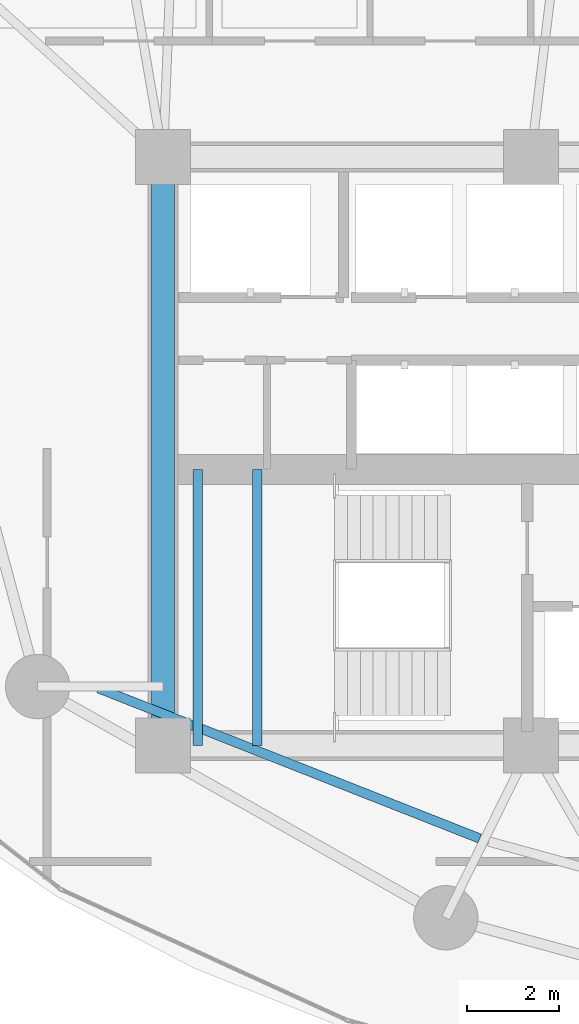
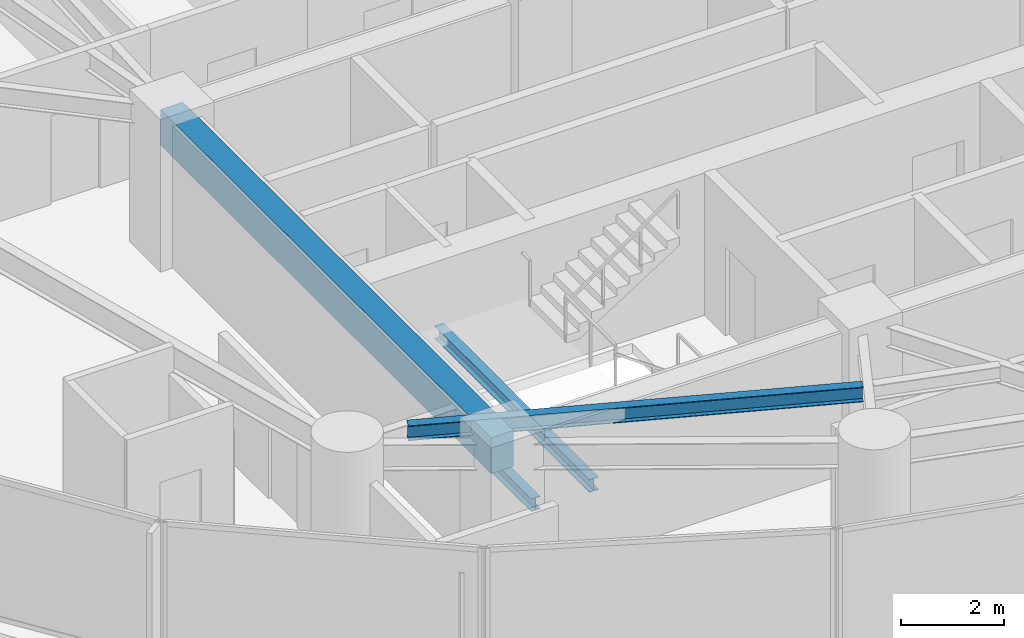
# One storey, part 4 of 31: 4 beams.
"""IFC4 building model written with IfcOpenShell, lengths in metres."""

from ifc_helpers import new_model, si_unit, direction, frame, origin, origin_2d, place, context, subcontext, project, spatial, rectangle, i_section, extrude, material, material_profile, profile_set, type_object, element, save


model = new_model("IFC4")

# Units and contexts
model_context = context("Model", 3, precision=1e-05, world=origin(), true_north=direction((0.0, 1.0)))
body_context = subcontext(model_context, "Body", "Model", "MODEL_VIEW")
ifc_project = project(units=[si_unit("LENGTHUNIT", "METRE"), si_unit("AREAUNIT", "SQUARE_METRE"), si_unit("VOLUMEUNIT", "CUBIC_METRE"), si_unit("PLANEANGLEUNIT", "RADIAN"), si_unit("MASSUNIT", "GRAM", prefix="KILO")], contexts=[model_context])

# Site, building, storey
site_placement = place(None, origin())
site = spatial("IfcSite", under=ifc_project, at=site_placement, CompositionType="ELEMENT")
building_placement = place(site_placement, origin())
building = spatial("IfcBuilding", under=site, at=building_placement, Name="Kazevale Care Tower and Concert Hall", CompositionType="ELEMENT")
storey_placement = place(building_placement, frame((0.0, 0.0, 60.0)))
storey = spatial("IfcBuildingStorey", under=building, at=storey_placement, Name="L15", CompositionType="ELEMENT", Elevation=60.0)

# Beams
ifc_material_1 = material(Name="Concrete C60", Category="concrete")
ifc_material_profile_1 = material_profile(ifc_material_1, rectangle(XDim=0.5, YDim=0.85009765625, at=origin_2d()), Name="RC-B500x850")
ifc_profile_set_1 = profile_set([ifc_material_profile_1], Name="Concrete C60")
beam_type_1 = type_object("IfcBeamType", Name="Core Coupling Beam RC500x850", PredefinedType="LINTEL", material=ifc_profile_set_1)
beam_1_placement = place(storey_placement, frame((22.0, 36.39990234375, 2.93505859375), z_axis=(0.0, -1.0, 0.0), x_axis=(1.0, 0.0, 0.0)))
element("IfcBeam", 1, at=beam_1_placement, inside=storey, type_object=beam_type_1, Name="beam:L15:coretie:8", PredefinedType="LINTEL", context=body_context, shape_type="SweptSolid", body=[
    extrude(rectangle(XDim=0.5, YDim=0.85009765625, at=origin_2d()), origin(), (0.0, 0.0, 1.0), 12.7998046875),
])
ifc_material_2 = material(Name="Steel ASTM A572 Gr 50", Category="steel")
ifc_material_profile_2 = material_profile(ifc_material_2, i_section(OverallWidth=0.205078125, OverallDepth=0.35400390625, WebThickness=0.009521484375, FlangeThickness=0.016845703125, at=origin_2d()), Name="W360x79")
ifc_profile_set_2 = profile_set([ifc_material_profile_2], Name="Steel ASTM A572 Gr 50")
beam_type_2 = type_object("IfcBeamType", Name="Secondary Floor Joist W360x79", PredefinedType="JOIST", material=ifc_profile_set_2)
beam_2_placement = place(storey_placement, frame((20.595947265625, 24.842041015625, 3.18310546875), z_axis=(0.930380638802, -0.366594963062, 0.0), x_axis=(0.366594963062, 0.930380638802, 0.0)))
element("IfcBeam", 2, at=beam_2_placement, inside=storey, type_object=beam_type_2, Name="beam:L15:joist:10", PredefinedType="JOIST", context=body_context, shape_type="SweptSolid", body=[
    extrude(i_section(OverallWidth=0.205078125, OverallDepth=0.35400390625, WebThickness=0.009521484375, FlangeThickness=0.016845703125, at=origin_2d()), origin(), (0.0, 0.0, 1.0), 8.909423828125),
])
ifc_material_profile_3 = material_profile(ifc_material_2, i_section(OverallWidth=0.202880859375, OverallDepth=0.302978515625, WebThickness=0.007568359375, FlangeThickness=0.01318359375, at=origin_2d()), Name="W310x60")
ifc_profile_set_3 = profile_set([ifc_material_profile_3], Name="Steel ASTM A572 Gr 50")
beam_type_3 = type_object("IfcBeamType", Name="Stair & Balcony Trimmer W310x60", PredefinedType="BEAM", material=ifc_profile_set_3)
for number, where, z_axis, x_axis, name in (
    (3, (22.75, 23.60009765625, 1.448486328125), (0.0, 1.0, 0.0), (-1.0, 0.0, 0.0), "beam:L15:sttrim:ST1"),
    (4, (24.050048828125, 23.60009765625, 1.448486328125), (0.0, 1.0, 0.0), (-1.0, 0.0, 0.0), "beam:L15:sttrim:ST1b"),
):
    element("IfcBeam", number, at=place(storey_placement, frame(where, z_axis=z_axis, x_axis=x_axis)), inside=storey, type_object=beam_type_3, Name=name, PredefinedType="BEAM", context=body_context, shape_type="SweptSolid", body=[
        extrude(i_section(OverallWidth=0.202880859375, OverallDepth=0.302978515625, WebThickness=0.007568359375, FlangeThickness=0.01318359375, at=origin_2d()), origin(), (0.0, 0.0, 1.0), 6.0),
    ])

save(model, "model.ifc")
